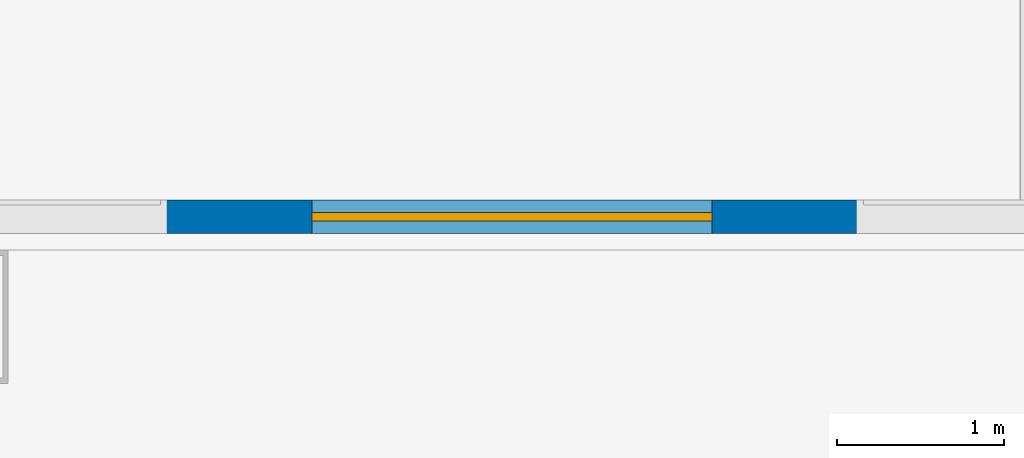
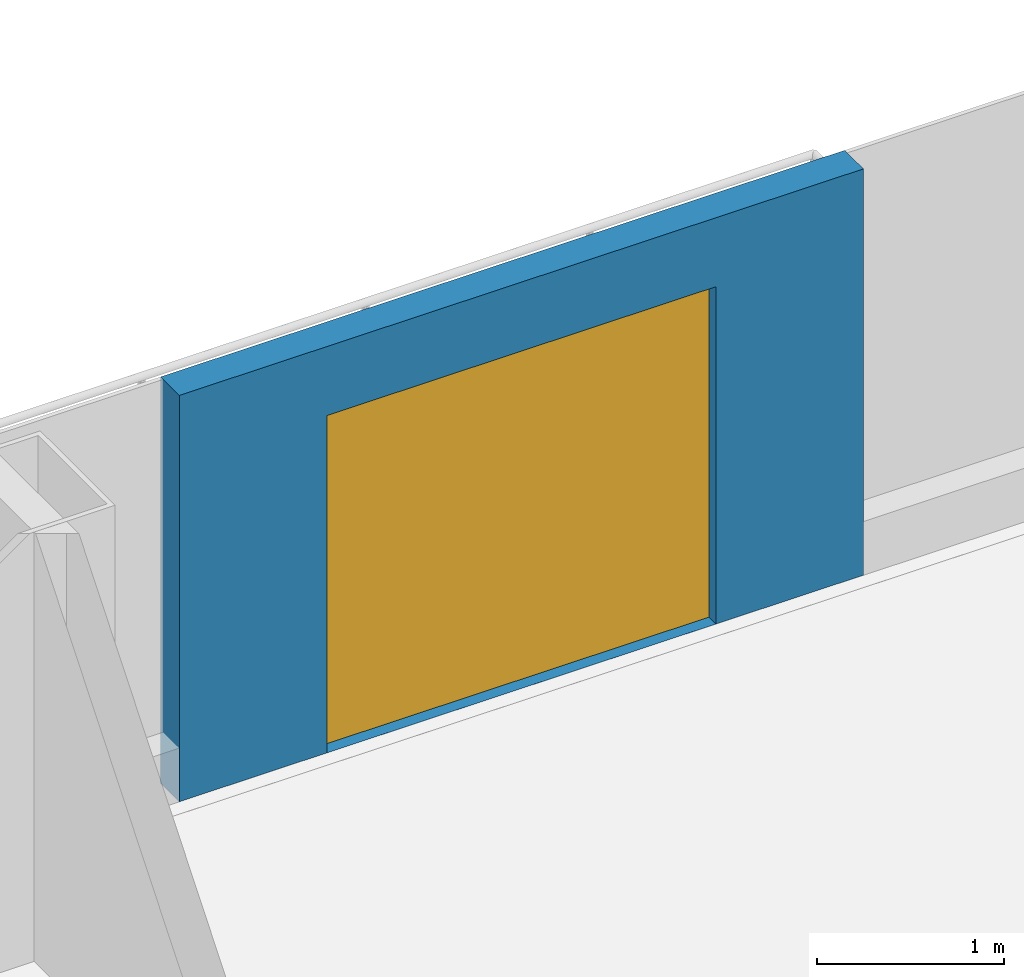
# One storey, part 18 of 33: 1 door, 1 wall, 1 opening, 1 element without a shape of its own.
"""IFC4 building model written with IfcOpenShell, lengths in metres."""

from ifc_helpers import new_model, si_unit, direction, frame, frame_2d, origin, place, context, subcontext, project, spatial, rectangle, extrude, material, layer, layer_set, type_object, element, fill, aggregate, save


model = new_model("IFC4")

# Units and contexts
model_context = context("Model", 3, precision=1e-05, world=origin(), true_north=direction((0.0, 1.0)))
body_context = subcontext(model_context, "Body", "Model", "MODEL_VIEW")
ifc_project = project(units=[si_unit("LENGTHUNIT", "METRE"), si_unit("AREAUNIT", "SQUARE_METRE"), si_unit("VOLUMEUNIT", "CUBIC_METRE"), si_unit("PLANEANGLEUNIT", "RADIAN"), si_unit("MASSUNIT", "GRAM", prefix="KILO")], contexts=[model_context])

# Site, building, storey
site_placement = place(None, origin())
site = spatial("IfcSite", under=ifc_project, at=site_placement, CompositionType="ELEMENT")
building_placement = place(site_placement, origin())
building = spatial("IfcBuilding", under=site, at=building_placement, Name="Hakoniwa Tower and Hamabe Station Hall", CompositionType="ELEMENT")
storey_placement = place(building_placement, frame((0.0, 0.0, 81.800048828125)))
storey = spatial("IfcBuildingStorey", under=building, at=storey_placement, Name="L22", CompositionType="ELEMENT", Elevation=81.800048828125)

# Curtain wall, wall, opening, door
ifc_material_1 = material(Name="Dark low-e laminated glass", Category="glass")
ifc_layer_1 = layer(ifc_material_1, 0.199951171875)
ifc_layer_set_1 = layer_set([ifc_layer_1], Name="CW-1 UNITISED GUEST")
curtain_wall_type = type_object("IfcCurtainWallType", Name="CW-1 UNITISED GUEST", PredefinedType="NOTDEFINED", material=ifc_layer_set_1)
curtain_wall_placement = place(storey_placement, origin())
curtain_wall = element("IfcCurtainWall", 1, at=curtain_wall_placement, inside=storey, type_object=curtain_wall_type, Name="CW-1 curtain wall", PredefinedType="NOTDEFINED")
ifc_material_2 = material(Name="Dark glass-faced aluminium panel", Category="aluminium")
ifc_layer_2 = layer(ifc_material_2, 0.199951171875)
ifc_layer_set_2 = layer_set([ifc_layer_2], Name="DOOR BAY WALL")
wall_type = type_object("IfcWallType", Name="DOOR BAY WALL", PredefinedType="NOTDEFINED", material=ifc_layer_set_2)
wall_placement = place(storey_placement, frame((39.135009765625, 23.449951171875, 0.0), z_axis=(0.0, 0.0, 1.0), x_axis=(-1.0, 0.0, 0.0)))
wall = element("IfcWall", 2, at=wall_placement, type_object=wall_type, Name="Door bay wall", PredefinedType="NOTDEFINED", context=body_context, shape_type="SweptSolid", body=[
    extrude(rectangle(XDim=4.219970703125, YDim=0.199951171875, at=frame_2d((2.10986328125, 0.0))), origin(), (0.0, 0.0, 1.0), 2.64990234375),
])
opening_placement = place(wall_placement, frame((0.909912109375, 0.0, 0.0)))
opening = element("IfcOpeningElement", 3, at=opening_placement, cuts=wall, Name="Opening BD-N03-12", PredefinedType="OPENING", context=body_context, shape_type="SweptSolid", body=[
    extrude(rectangle(XDim=2.39990234375, YDim=2.199951171875, at=frame_2d((1.199951171875, 1.10009765625))), frame((0.0, 0.10986328125, 0.0), z_axis=(0.0, -1.0, 0.0), x_axis=(1.0, 0.0, 0.0)), (0.0, 0.0, 1.0), 0.219970703125),
])
ifc_material_3 = material(Name="Dark low-e laminated glass", Category="glass")
door_type = type_object("IfcDoorType", Name="BALCONY SLIDING DOOR 2400X2200", OperationType="SLIDING_TO_LEFT", PredefinedType="DOOR", material=ifc_material_3)
door_placement = place(opening_placement, frame((2.39990234375, 0.0, 0.0), z_axis=(0.0, 0.0, 1.0), x_axis=(-1.0, 0.0, 0.0)))
door = element("IfcDoor", 4, at=door_placement, inside=storey, type_object=door_type, Name="Balcony sliding door", OperationType="SLIDING_TO_LEFT", OverallHeight=2.199951171875, OverallWidth=2.39990234375, PredefinedType="DOOR", context=body_context, shape_type="SweptSolid", body=[
    extrude(rectangle(XDim=2.39990234375, YDim=2.199951171875, at=frame_2d((1.199951171875, 1.10009765625))), frame((0.0, 0.02490234375, 0.0), z_axis=(0.0, -1.0, 0.0), x_axis=(1.0, 0.0, 0.0)), (0.0, 0.0, 1.0), 0.050048828125),
])
fill(opening, door)
aggregate(curtain_wall, [wall])

save(model, "model.ifc")
